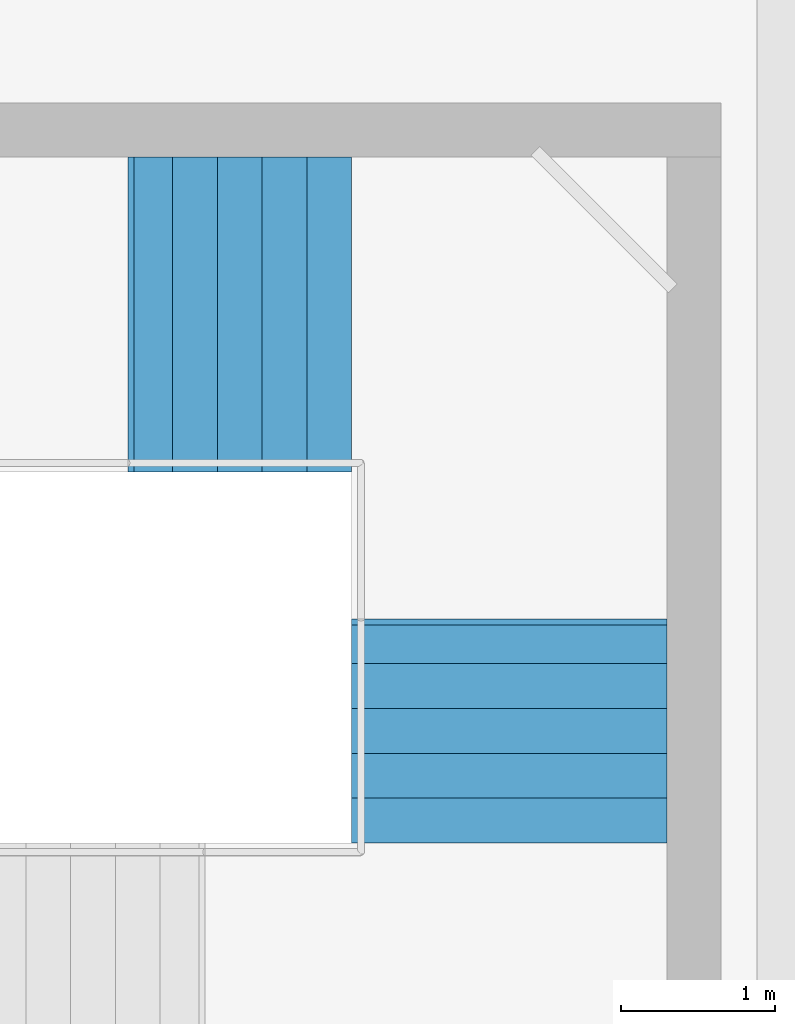
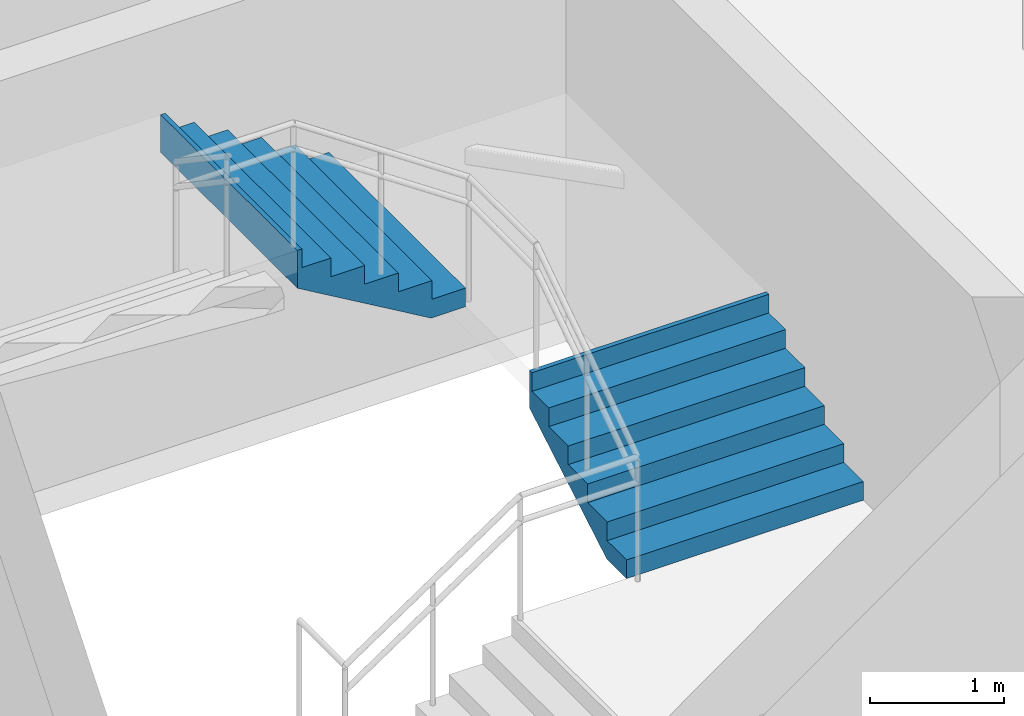
# One storey, part 60 of 66: 2 stair flights, 1 element without a shape of its own.
"""IFC4 building model written with IfcOpenShell, lengths in metres."""

from ifc_helpers import new_model, si_unit, direction, frame, origin, place, context, subcontext, project, spatial, triangles, material, type_object, element, aggregate, save


model = new_model("IFC4")

# Units and contexts
model_context = context("Model", 3, precision=1e-05, world=origin(), true_north=direction((0.0, 1.0)))
body_context = subcontext(model_context, "Body", "Model", "MODEL_VIEW")
ifc_project = project(units=[si_unit("LENGTHUNIT", "METRE"), si_unit("AREAUNIT", "SQUARE_METRE"), si_unit("VOLUMEUNIT", "CUBIC_METRE"), si_unit("PLANEANGLEUNIT", "RADIAN"), si_unit("MASSUNIT", "GRAM", prefix="KILO")], contexts=[model_context])

# Site, building, storey
site_placement = place(None, origin())
site = spatial("IfcSite", under=ifc_project, at=site_placement, CompositionType="ELEMENT")
building_placement = place(site_placement, origin())
building = spatial("IfcBuilding", under=site, at=building_placement, Name="Sillaruma Civic Art Gallery", CompositionType="ELEMENT")
storey_placement = place(building_placement, frame((0.0, 0.0, 62.219970703125)))
storey = spatial("IfcBuildingStorey", under=building, at=storey_placement, Name="L12", CompositionType="ELEMENT", Elevation=62.219970703125)

# Stair, stair flights
ifc_material = material(Name="Concrete H35 (35 MPa)", Category="concrete")
stair_type = type_object("IfcStairType", Name="STR-4F-24", PredefinedType="USERDEFINED", material=ifc_material)
stair_placement = place(storey_placement, origin())
stair = element("IfcStair", 1, at=stair_placement, inside=storey, type_object=stair_type, Name="Protected Exit Stair ST-03 (West Bar South) (L12)", ObjectType="THREE_RETURN_STAIR", PredefinedType="USERDEFINED")
stair_flight_type = type_object("IfcStairFlightType", Name="SFL-STR-6", PredefinedType="STRAIGHT", material=ifc_material)
stair_flight_1_placement = place(storey_placement, frame((68.219970703125, 33.449951171875, 1.02001953125), z_axis=(0.0, 0.0, 1.0), x_axis=(0.0, 1.0, 0.0)))
stair_flight_1 = element("IfcStairFlight", 2, at=stair_flight_1_placement, type_object=stair_flight_type, Name="ST-03 flight 2", NumberOfRisers=6, NumberOfTreads=5, PredefinedType="STRAIGHT", RiserHeight=0.17, TreadLength=0.29, context=body_context, shape_type="Tessellation", body=[
    triangles([(0.0, -1.02001953125, 0.0), (0.29, -1.02001953125, 0.0), (0.296365, -1.02001953125, 0.0), (0.58, -1.02001953125, 0.166269), (0.87, -1.02001953125, 0.336269), (1.16, -1.02001953125, 0.506269), (1.409951, -1.02001953125, 0.652792), (1.449951, -1.02001953125, 0.67624), (1.449951, -1.02001953125, 1.02), (1.409951, -1.02001953125, 1.02), (1.409951, -1.02001953125, 0.85), (1.16, -1.02001953125, 0.85), (1.16, -1.02001953125, 0.68), (0.87, -1.02001953125, 0.68), (0.87, -1.02001953125, 0.51), (0.58, -1.02001953125, 0.51), (0.58, -1.02001953125, 0.34), (0.296365, -1.02001953125, 0.34), (0.29, -1.02001953125, 0.34), (0.29, -1.02001953125, 0.17), (0.0, -1.02001953125, 0.17), (0.0, -0.05, 0.0), (0.29, -0.05, 0.0), (0.296365, -0.05, 0.0), (0.58, -0.05, 0.166269), (0.87, -0.05, 0.336269), (1.16, -0.05, 0.506269), (1.409951, -0.05, 0.652792), (1.449951, -0.05, 0.67624), (1.449951, -0.05, 1.02), (1.409951, -0.05, 1.02), (1.409951, -0.05, 0.85), (1.16, -0.05, 0.85), (1.16, -0.05, 0.68), (0.87, -0.05, 0.68), (0.87, -0.05, 0.51), (0.58, -0.05, 0.51), (0.58, -0.05, 0.34), (0.296365, -0.05, 0.34), (0.29, -0.05, 0.34), (0.29, -0.05, 0.17), (0.0, -0.05, 0.17), (0.0, -0.0375, 0.0), (0.29, -0.0375, 0.0), (0.296365, -0.0375, 0.0), (0.58, -0.0375, 0.166269), (0.87, -0.0375, 0.336269), (1.16, -0.0375, 0.506269), (1.409951, -0.0375, 0.652792), (1.449951, -0.0375, 0.67624), (1.449951, -0.0375, 1.02), (1.409951, -0.0375, 1.02), (1.409951, -0.0375, 0.85), (1.16, -0.0375, 0.85), (1.16, -0.0375, 0.68), (0.87, -0.0375, 0.68), (0.87, -0.0375, 0.51), (0.58, -0.0375, 0.51), (0.58, -0.0375, 0.34), (0.296365, -0.0375, 0.34), (0.29, -0.0375, 0.34), (0.29, -0.0375, 0.17), (0.0, -0.0375, 0.17), (0.0, -0.025, 0.0), (0.29, -0.025, 0.0), (0.296365, -0.025, 0.0), (0.58, -0.025, 0.166269), (0.87, -0.025, 0.336269), (1.16, -0.025, 0.506269), (1.409951, -0.025, 0.652792), (1.449951, -0.025, 0.67624), (1.449951, -0.025, 1.02), (1.409951, -0.025, 1.02), (1.409951, -0.025, 0.85), (1.16, -0.025, 0.85), (1.16, -0.025, 0.68), (0.87, -0.025, 0.68), (0.87, -0.025, 0.51), (0.58, -0.025, 0.51), (0.58, -0.025, 0.34), (0.296365, -0.025, 0.34), (0.29, -0.025, 0.34), (0.29, -0.025, 0.17), (0.0, -0.025, 0.17), (0.0, -0.0125, 0.0), (0.29, -0.0125, 0.0), (0.296365, -0.0125, 0.0), (0.58, -0.0125, 0.166269), (0.87, -0.0125, 0.336269), (1.16, -0.0125, 0.506269), (1.409951, -0.0125, 0.652792), (1.449951, -0.0125, 0.67624), (1.449951, -0.0125, 1.02), (1.409951, -0.0125, 1.02), (1.409951, -0.0125, 0.85), (1.16, -0.0125, 0.85), (1.16, -0.0125, 0.68), (0.87, -0.0125, 0.68), (0.87, -0.0125, 0.51), (0.58, -0.0125, 0.51), (0.58, -0.0125, 0.34), (0.296365, -0.0125, 0.34), (0.29, -0.0125, 0.34), (0.29, -0.0125, 0.17), (0.0, -0.0125, 0.17), (0.0, 0.0, 0.0), (0.29, 0.0, 0.0), (0.296365, 0.0, 0.0), (0.58, 0.0, 0.166269), (0.87, 0.0, 0.336269), (1.16, 0.0, 0.506269), (1.409951, 0.0, 0.652792), (1.449951, 0.0, 0.67624), (1.449951, 0.0, 1.02), (1.409951, 0.0, 1.02), (1.409951, 0.0, 0.85), (1.16, 0.0, 0.85), (1.16, 0.0, 0.68), (0.87, 0.0, 0.68), (0.87, 0.0, 0.51), (0.58, 0.0, 0.51), (0.58, 0.0, 0.34), (0.296365, 0.0, 0.34), (0.29, 0.0, 0.34), (0.29, 0.0, 0.17), (0.0, 0.0, 0.17), (0.0, 0.0125, 0.0), (0.29, 0.0125, 0.0), (0.296365, 0.0125, 0.0), (0.58, 0.0125, 0.166269), (0.87, 0.0125, 0.336269), (1.16, 0.0125, 0.506269), (1.409951, 0.0125, 0.652792), (1.449951, 0.0125, 0.67624), (1.449951, 0.0125, 1.02), (1.409951, 0.0125, 1.02), (1.409951, 0.0125, 0.85), (1.16, 0.0125, 0.85), (1.16, 0.0125, 0.68), (0.87, 0.0125, 0.68), (0.87, 0.0125, 0.51), (0.58, 0.0125, 0.51), (0.58, 0.0125, 0.34), (0.296365, 0.0125, 0.34), (0.29, 0.0125, 0.34), (0.29, 0.0125, 0.17), (0.0, 0.0125, 0.17), (0.0, 0.025, 0.0), (0.29, 0.025, 0.0), (0.296365, 0.025, 0.0), (0.58, 0.025, 0.166269), (0.87, 0.025, 0.336269), (1.16, 0.025, 0.506269), (1.409951, 0.025, 0.652792), (1.449951, 0.025, 0.67624), (1.449951, 0.025, 1.02), (1.409951, 0.025, 1.02), (1.409951, 0.025, 0.85), (1.16, 0.025, 0.85), (1.16, 0.025, 0.68), (0.87, 0.025, 0.68), (0.87, 0.025, 0.51), (0.58, 0.025, 0.51), (0.58, 0.025, 0.34), (0.296365, 0.025, 0.34), (0.29, 0.025, 0.34), (0.29, 0.025, 0.17), (0.0, 0.025, 0.17), (0.0, 0.0375, 0.0), (0.29, 0.0375, 0.0), (0.296365, 0.0375, 0.0), (0.58, 0.0375, 0.166269), (0.87, 0.0375, 0.336269), (1.16, 0.0375, 0.506269), (1.409951, 0.0375, 0.652792), (1.449951, 0.0375, 0.67624), (1.449951, 0.0375, 1.02), (1.409951, 0.0375, 1.02), (1.409951, 0.0375, 0.85), (1.16, 0.0375, 0.85), (1.16, 0.0375, 0.68), (0.87, 0.0375, 0.68), (0.87, 0.0375, 0.51), (0.58, 0.0375, 0.51), (0.58, 0.0375, 0.34), (0.296365, 0.0375, 0.34), (0.29, 0.0375, 0.34), (0.29, 0.0375, 0.17), (0.0, 0.0375, 0.17), (0.0, 0.05, 0.0), (0.29, 0.05, 0.0), (0.296365, 0.05, 0.0), (0.58, 0.05, 0.166269), (0.87, 0.05, 0.336269), (1.16, 0.05, 0.506269), (1.409951, 0.05, 0.652792), (1.449951, 0.05, 0.67624), (1.449951, 0.05, 1.02), (1.409951, 0.05, 1.02), (1.409951, 0.05, 0.85), (1.16, 0.05, 0.85), (1.16, 0.05, 0.68), (0.87, 0.05, 0.68), (0.87, 0.05, 0.51), (0.58, 0.05, 0.51), (0.58, 0.05, 0.34), (0.296365, 0.05, 0.34), (0.29, 0.05, 0.34), (0.29, 0.05, 0.17), (0.0, 0.05, 0.17), (0.0, 1.02001953125, 0.0), (0.29, 1.02001953125, 0.0), (0.296365, 1.02001953125, 0.0), (0.58, 1.02001953125, 0.166269), (0.87, 1.02001953125, 0.336269), (1.16, 1.02001953125, 0.506269), (1.409951, 1.02001953125, 0.652792), (1.449951, 1.02001953125, 0.67624), (1.449951, 1.02001953125, 1.02), (1.409951, 1.02001953125, 1.02), (1.409951, 1.02001953125, 0.85), (1.16, 1.02001953125, 0.85), (1.16, 1.02001953125, 0.68), (0.87, 1.02001953125, 0.68), (0.87, 1.02001953125, 0.51), (0.58, 1.02001953125, 0.51), (0.58, 1.02001953125, 0.34), (0.296365, 1.02001953125, 0.34), (0.29, 1.02001953125, 0.34), (0.29, 1.02001953125, 0.17), (0.0, 1.02001953125, 0.17)], [[1, 2, 20], [1, 20, 21], [2, 3, 18], [2, 18, 20], [20, 18, 19], [3, 4, 17], [3, 17, 18], [4, 5, 15], [4, 15, 17], [17, 15, 16], [5, 6, 13], [5, 13, 15], [15, 13, 14], [6, 7, 11], [6, 11, 13], [13, 11, 12], [7, 8, 9], [7, 9, 11], [11, 9, 10], [230, 212, 211], [231, 230, 211], [228, 213, 212], [230, 228, 212], [229, 228, 230], [227, 214, 213], [228, 227, 213], [225, 215, 214], [227, 225, 214], [226, 225, 227], [223, 216, 215], [225, 223, 215], [224, 223, 225], [221, 217, 216], [223, 221, 216], [222, 221, 223], [219, 218, 217], [221, 219, 217], [220, 219, 221], [2, 1, 22], [2, 22, 23], [3, 2, 23], [3, 23, 24], [4, 3, 24], [4, 24, 25], [5, 4, 25], [5, 25, 26], [6, 5, 26], [6, 26, 27], [7, 6, 27], [7, 27, 28], [8, 7, 28], [8, 28, 29], [9, 8, 29], [9, 29, 30], [10, 9, 30], [10, 30, 31], [11, 10, 31], [11, 31, 32], [12, 11, 32], [12, 32, 33], [13, 12, 33], [13, 33, 34], [14, 13, 34], [14, 34, 35], [15, 14, 35], [15, 35, 36], [16, 15, 36], [16, 36, 37], [17, 16, 37], [17, 37, 38], [18, 17, 38], [18, 38, 39], [19, 18, 39], [19, 39, 40], [20, 19, 40], [20, 40, 41], [21, 20, 41], [21, 41, 42], [1, 21, 42], [1, 42, 22], [23, 22, 43], [23, 43, 44], [24, 23, 44], [24, 44, 45], [25, 24, 45], [25, 45, 46], [26, 25, 46], [26, 46, 47], [27, 26, 47], [27, 47, 48], [28, 27, 48], [28, 48, 49], [29, 28, 49], [29, 49, 50], [30, 29, 50], [30, 50, 51], [31, 30, 51], [31, 51, 52], [32, 31, 52], [32, 52, 53], [33, 32, 53], [33, 53, 54], [34, 33, 54], [34, 54, 55], [35, 34, 55], [35, 55, 56], [36, 35, 56], [36, 56, 57], [37, 36, 57], [37, 57, 58], [38, 37, 58], [38, 58, 59], [39, 38, 59], [39, 59, 60], [40, 39, 60], [40, 60, 61], [41, 40, 61], [41, 61, 62], [42, 41, 62], [42, 62, 63], [22, 42, 63], [22, 63, 43], [44, 43, 64], [44, 64, 65], [45, 44, 65], [45, 65, 66], [46, 45, 66], [46, 66, 67], [47, 46, 67], [47, 67, 68], [48, 47, 68], [48, 68, 69], [49, 48, 69], [49, 69, 70], [50, 49, 70], [50, 70, 71], [51, 50, 71], [51, 71, 72], [52, 51, 72], [52, 72, 73], [53, 52, 73], [53, 73, 74], [54, 53, 74], [54, 74, 75], [55, 54, 75], [55, 75, 76], [56, 55, 76], [56, 76, 77], [57, 56, 77], [57, 77, 78], [58, 57, 78], [58, 78, 79], [59, 58, 79], [59, 79, 80], [60, 59, 80], [60, 80, 81], [61, 60, 81], [61, 81, 82], [62, 61, 82], [62, 82, 83], [63, 62, 83], [63, 83, 84], [43, 63, 84], [43, 84, 64], [65, 64, 85], [65, 85, 86], [66, 65, 86], [66, 86, 87], [67, 66, 87], [67, 87, 88], [68, 67, 88], [68, 88, 89], [69, 68, 89], [69, 89, 90], [70, 69, 90], [70, 90, 91], [71, 70, 91], [71, 91, 92], [72, 71, 92], [72, 92, 93], [73, 72, 93], [73, 93, 94], [74, 73, 94], [74, 94, 95], [75, 74, 95], [75, 95, 96], [76, 75, 96], [76, 96, 97], [77, 76, 97], [77, 97, 98], [78, 77, 98], [78, 98, 99], [79, 78, 99], [79, 99, 100], [80, 79, 100], [80, 100, 101], [81, 80, 101], [81, 101, 102], [82, 81, 102], [82, 102, 103], [83, 82, 103], [83, 103, 104], [84, 83, 104], [84, 104, 105], [64, 84, 105], [64, 105, 85], [86, 85, 106], [86, 106, 107], [87, 86, 107], [87, 107, 108], [88, 87, 108], [88, 108, 109], [89, 88, 109], [89, 109, 110], [90, 89, 110], [90, 110, 111], [91, 90, 111], [91, 111, 112], [92, 91, 112], [92, 112, 113], [93, 92, 113], [93, 113, 114], [94, 93, 114], [94, 114, 115], [95, 94, 115], [95, 115, 116], [96, 95, 116], [96, 116, 117], [97, 96, 117], [97, 117, 118], [98, 97, 118], [98, 118, 119], [99, 98, 119], [99, 119, 120], [100, 99, 120], [100, 120, 121], [101, 100, 121], [101, 121, 122], [102, 101, 122], [102, 122, 123], [103, 102, 123], [103, 123, 124], [104, 103, 124], [104, 124, 125], [105, 104, 125], [105, 125, 126], [85, 105, 126], [85, 126, 106], [107, 106, 127], [107, 127, 128], [108, 107, 128], [108, 128, 129], [109, 108, 129], [109, 129, 130], [110, 109, 130], [110, 130, 131], [111, 110, 131], [111, 131, 132], [112, 111, 132], [112, 132, 133], [113, 112, 133], [113, 133, 134], [114, 113, 134], [114, 134, 135], [115, 114, 135], [115, 135, 136], [116, 115, 136], [116, 136, 137], [117, 116, 137], [117, 137, 138], [118, 117, 138], [118, 138, 139], [119, 118, 139], [119, 139, 140], [120, 119, 140], [120, 140, 141], [121, 120, 141], [121, 141, 142], [122, 121, 142], [122, 142, 143], [123, 122, 143], [123, 143, 144], [124, 123, 144], [124, 144, 145], [125, 124, 145], [125, 145, 146], [126, 125, 146], [126, 146, 147], [106, 126, 147], [106, 147, 127], [128, 127, 148], [128, 148, 149], [129, 128, 149], [129, 149, 150], [130, 129, 150], [130, 150, 151], [131, 130, 151], [131, 151, 152], [132, 131, 152], [132, 152, 153], [133, 132, 153], [133, 153, 154], [134, 133, 154], [134, 154, 155], [135, 134, 155], [135, 155, 156], [136, 135, 156], [136, 156, 157], [137, 136, 157], [137, 157, 158], [138, 137, 158], [138, 158, 159], [139, 138, 159], [139, 159, 160], [140, 139, 160], [140, 160, 161], [141, 140, 161], [141, 161, 162], [142, 141, 162], [142, 162, 163], [143, 142, 163], [143, 163, 164], [144, 143, 164], [144, 164, 165], [145, 144, 165], [145, 165, 166], [146, 145, 166], [146, 166, 167], [147, 146, 167], [147, 167, 168], [127, 147, 168], [127, 168, 148], [149, 148, 169], [149, 169, 170], [150, 149, 170], [150, 170, 171], [151, 150, 171], [151, 171, 172], [152, 151, 172], [152, 172, 173], [153, 152, 173], [153, 173, 174], [154, 153, 174], [154, 174, 175], [155, 154, 175], [155, 175, 176], [156, 155, 176], [156, 176, 177], [157, 156, 177], [157, 177, 178], [158, 157, 178], [158, 178, 179], [159, 158, 179], [159, 179, 180], [160, 159, 180], [160, 180, 181], [161, 160, 181], [161, 181, 182], [162, 161, 182], [162, 182, 183], [163, 162, 183], [163, 183, 184], [164, 163, 184], [164, 184, 185], [165, 164, 185], [165, 185, 186], [166, 165, 186], [166, 186, 187], [167, 166, 187], [167, 187, 188], [168, 167, 188], [168, 188, 189], [148, 168, 189], [148, 189, 169], [170, 169, 190], [170, 190, 191], [171, 170, 191], [171, 191, 192], [172, 171, 192], [172, 192, 193], [173, 172, 193], [173, 193, 194], [174, 173, 194], [174, 194, 195], [175, 174, 195], [175, 195, 196], [176, 175, 196], [176, 196, 197], [177, 176, 197], [177, 197, 198], [178, 177, 198], [178, 198, 199], [179, 178, 199], [179, 199, 200], [180, 179, 200], [180, 200, 201], [181, 180, 201], [181, 201, 202], [182, 181, 202], [182, 202, 203], [183, 182, 203], [183, 203, 204], [184, 183, 204], [184, 204, 205], [185, 184, 205], [185, 205, 206], [186, 185, 206], [186, 206, 207], [187, 186, 207], [187, 207, 208], [188, 187, 208], [188, 208, 209], [189, 188, 209], [189, 209, 210], [169, 189, 210], [169, 210, 190], [191, 190, 211], [191, 211, 212], [192, 191, 212], [192, 212, 213], [193, 192, 213], [193, 213, 214], [194, 193, 214], [194, 214, 215], [195, 194, 215], [195, 215, 216], [196, 195, 216], [196, 216, 217], [197, 196, 217], [197, 217, 218], [198, 197, 218], [198, 218, 219], [199, 198, 219], [199, 219, 220], [200, 199, 220], [200, 220, 221], [201, 200, 221], [201, 221, 222], [202, 201, 222], [202, 222, 223], [203, 202, 223], [203, 223, 224], [204, 203, 224], [204, 224, 225], [205, 204, 225], [205, 225, 226], [206, 205, 226], [206, 226, 227], [207, 206, 227], [207, 227, 228], [208, 207, 228], [208, 228, 229], [209, 208, 229], [209, 229, 230], [210, 209, 230], [210, 230, 231], [190, 210, 231], [190, 231, 211]], closed=True),
])
stair_flight_2_placement = place(storey_placement, frame((67.199951171875, 36.8701171875, 2.0400390625), z_axis=(0.0, 0.0, 1.0), x_axis=(-1.0, 0.0, 0.0)))
stair_flight_2 = element("IfcStairFlight", 3, at=stair_flight_2_placement, type_object=stair_flight_type, Name="ST-03 flight 3", NumberOfRisers=6, NumberOfTreads=5, PredefinedType="STRAIGHT", RiserHeight=0.17, TreadLength=0.29, context=body_context, shape_type="Tessellation", body=[
    triangles([(0.0, -1.02001953125, 0.0), (0.29, -1.02001953125, 0.0), (0.296365, -1.02001953125, 0.0), (0.58, -1.02001953125, 0.166269), (0.87, -1.02001953125, 0.336269), (1.16, -1.02001953125, 0.506269), (1.409951, -1.02001953125, 0.652792), (1.449951, -1.02001953125, 0.67624), (1.449951, -1.02001953125, 1.02), (1.409951, -1.02001953125, 1.02), (1.409951, -1.02001953125, 0.85), (1.16, -1.02001953125, 0.85), (1.16, -1.02001953125, 0.68), (0.87, -1.02001953125, 0.68), (0.87, -1.02001953125, 0.51), (0.58, -1.02001953125, 0.51), (0.58, -1.02001953125, 0.34), (0.296365, -1.02001953125, 0.34), (0.29, -1.02001953125, 0.34), (0.29, -1.02001953125, 0.17), (0.0, -1.02001953125, 0.17), (0.0, -0.05, 0.0), (0.29, -0.05, 0.0), (0.296365, -0.05, 0.0), (0.58, -0.05, 0.166269), (0.87, -0.05, 0.336269), (1.16, -0.05, 0.506269), (1.409951, -0.05, 0.652792), (1.449951, -0.05, 0.67624), (1.449951, -0.05, 1.02), (1.409951, -0.05, 1.02), (1.409951, -0.05, 0.85), (1.16, -0.05, 0.85), (1.16, -0.05, 0.68), (0.87, -0.05, 0.68), (0.87, -0.05, 0.51), (0.58, -0.05, 0.51), (0.58, -0.05, 0.34), (0.296365, -0.05, 0.34), (0.29, -0.05, 0.34), (0.29, -0.05, 0.17), (0.0, -0.05, 0.17), (0.0, -0.0375, 0.0), (0.29, -0.0375, 0.0), (0.296365, -0.0375, 0.0), (0.58, -0.0375, 0.166269), (0.87, -0.0375, 0.336269), (1.16, -0.0375, 0.506269), (1.409951, -0.0375, 0.652792), (1.449951, -0.0375, 0.67624), (1.449951, -0.0375, 1.02), (1.409951, -0.0375, 1.02), (1.409951, -0.0375, 0.85), (1.16, -0.0375, 0.85), (1.16, -0.0375, 0.68), (0.87, -0.0375, 0.68), (0.87, -0.0375, 0.51), (0.58, -0.0375, 0.51), (0.58, -0.0375, 0.34), (0.296365, -0.0375, 0.34), (0.29, -0.0375, 0.34), (0.29, -0.0375, 0.17), (0.0, -0.0375, 0.17), (0.0, -0.025, 0.0), (0.29, -0.025, 0.0), (0.296365, -0.025, 0.0), (0.58, -0.025, 0.166269), (0.87, -0.025, 0.336269), (1.16, -0.025, 0.506269), (1.409951, -0.025, 0.652792), (1.449951, -0.025, 0.67624), (1.449951, -0.025, 1.02), (1.409951, -0.025, 1.02), (1.409951, -0.025, 0.85), (1.16, -0.025, 0.85), (1.16, -0.025, 0.68), (0.87, -0.025, 0.68), (0.87, -0.025, 0.51), (0.58, -0.025, 0.51), (0.58, -0.025, 0.34), (0.296365, -0.025, 0.34), (0.29, -0.025, 0.34), (0.29, -0.025, 0.17), (0.0, -0.025, 0.17), (0.0, -0.0125, 0.0), (0.29, -0.0125, 0.0), (0.296365, -0.0125, 0.0), (0.58, -0.0125, 0.166269), (0.87, -0.0125, 0.336269), (1.16, -0.0125, 0.506269), (1.409951, -0.0125, 0.652792), (1.449951, -0.0125, 0.67624), (1.449951, -0.0125, 1.02), (1.409951, -0.0125, 1.02), (1.409951, -0.0125, 0.85), (1.16, -0.0125, 0.85), (1.16, -0.0125, 0.68), (0.87, -0.0125, 0.68), (0.87, -0.0125, 0.51), (0.58, -0.0125, 0.51), (0.58, -0.0125, 0.34), (0.296365, -0.0125, 0.34), (0.29, -0.0125, 0.34), (0.29, -0.0125, 0.17), (0.0, -0.0125, 0.17), (0.0, 0.0, 0.0), (0.29, 0.0, 0.0), (0.296365, 0.0, 0.0), (0.58, 0.0, 0.166269), (0.87, 0.0, 0.336269), (1.16, 0.0, 0.506269), (1.409951, 0.0, 0.652792), (1.449951, 0.0, 0.67624), (1.449951, 0.0, 1.02), (1.409951, 0.0, 1.02), (1.409951, 0.0, 0.85), (1.16, 0.0, 0.85), (1.16, 0.0, 0.68), (0.87, 0.0, 0.68), (0.87, 0.0, 0.51), (0.58, 0.0, 0.51), (0.58, 0.0, 0.34), (0.296365, 0.0, 0.34), (0.29, 0.0, 0.34), (0.29, 0.0, 0.17), (0.0, 0.0, 0.17), (0.0, 0.0125, 0.0), (0.29, 0.0125, 0.0), (0.296365, 0.0125, 0.0), (0.58, 0.0125, 0.166269), (0.87, 0.0125, 0.336269), (1.16, 0.0125, 0.506269), (1.409951, 0.0125, 0.652792), (1.449951, 0.0125, 0.67624), (1.449951, 0.0125, 1.02), (1.409951, 0.0125, 1.02), (1.409951, 0.0125, 0.85), (1.16, 0.0125, 0.85), (1.16, 0.0125, 0.68), (0.87, 0.0125, 0.68), (0.87, 0.0125, 0.51), (0.58, 0.0125, 0.51), (0.58, 0.0125, 0.34), (0.296365, 0.0125, 0.34), (0.29, 0.0125, 0.34), (0.29, 0.0125, 0.17), (0.0, 0.0125, 0.17), (0.0, 0.025, 0.0), (0.29, 0.025, 0.0), (0.296365, 0.025, 0.0), (0.58, 0.025, 0.166269), (0.87, 0.025, 0.336269), (1.16, 0.025, 0.506269), (1.409951, 0.025, 0.652792), (1.449951, 0.025, 0.67624), (1.449951, 0.025, 1.02), (1.409951, 0.025, 1.02), (1.409951, 0.025, 0.85), (1.16, 0.025, 0.85), (1.16, 0.025, 0.68), (0.87, 0.025, 0.68), (0.87, 0.025, 0.51), (0.58, 0.025, 0.51), (0.58, 0.025, 0.34), (0.296365, 0.025, 0.34), (0.29, 0.025, 0.34), (0.29, 0.025, 0.17), (0.0, 0.025, 0.17), (0.0, 0.0375, 0.0), (0.29, 0.0375, 0.0), (0.296365, 0.0375, 0.0), (0.58, 0.0375, 0.166269), (0.87, 0.0375, 0.336269), (1.16, 0.0375, 0.506269), (1.409951, 0.0375, 0.652792), (1.449951, 0.0375, 0.67624), (1.449951, 0.0375, 1.02), (1.409951, 0.0375, 1.02), (1.409951, 0.0375, 0.85), (1.16, 0.0375, 0.85), (1.16, 0.0375, 0.68), (0.87, 0.0375, 0.68), (0.87, 0.0375, 0.51), (0.58, 0.0375, 0.51), (0.58, 0.0375, 0.34), (0.296365, 0.0375, 0.34), (0.29, 0.0375, 0.34), (0.29, 0.0375, 0.17), (0.0, 0.0375, 0.17), (0.0, 0.05, 0.0), (0.29, 0.05, 0.0), (0.296365, 0.05, 0.0), (0.58, 0.05, 0.166269), (0.87, 0.05, 0.336269), (1.16, 0.05, 0.506269), (1.409951, 0.05, 0.652792), (1.449951, 0.05, 0.67624), (1.449951, 0.05, 1.02), (1.409951, 0.05, 1.02), (1.409951, 0.05, 0.85), (1.16, 0.05, 0.85), (1.16, 0.05, 0.68), (0.87, 0.05, 0.68), (0.87, 0.05, 0.51), (0.58, 0.05, 0.51), (0.58, 0.05, 0.34), (0.296365, 0.05, 0.34), (0.29, 0.05, 0.34), (0.29, 0.05, 0.17), (0.0, 0.05, 0.17), (0.0, 1.02001953125, 0.0), (0.29, 1.02001953125, 0.0), (0.296365, 1.02001953125, 0.0), (0.58, 1.02001953125, 0.166269), (0.87, 1.02001953125, 0.336269), (1.16, 1.02001953125, 0.506269), (1.409951, 1.02001953125, 0.652792), (1.449951, 1.02001953125, 0.67624), (1.449951, 1.02001953125, 1.02), (1.409951, 1.02001953125, 1.02), (1.409951, 1.02001953125, 0.85), (1.16, 1.02001953125, 0.85), (1.16, 1.02001953125, 0.68), (0.87, 1.02001953125, 0.68), (0.87, 1.02001953125, 0.51), (0.58, 1.02001953125, 0.51), (0.58, 1.02001953125, 0.34), (0.296365, 1.02001953125, 0.34), (0.29, 1.02001953125, 0.34), (0.29, 1.02001953125, 0.17), (0.0, 1.02001953125, 0.17)], [[1, 2, 20], [1, 20, 21], [2, 3, 18], [2, 18, 20], [20, 18, 19], [3, 4, 17], [3, 17, 18], [4, 5, 15], [4, 15, 17], [17, 15, 16], [5, 6, 13], [5, 13, 15], [15, 13, 14], [6, 7, 11], [6, 11, 13], [13, 11, 12], [7, 8, 9], [7, 9, 11], [11, 9, 10], [230, 212, 211], [231, 230, 211], [228, 213, 212], [230, 228, 212], [229, 228, 230], [227, 214, 213], [228, 227, 213], [225, 215, 214], [227, 225, 214], [226, 225, 227], [223, 216, 215], [225, 223, 215], [224, 223, 225], [221, 217, 216], [223, 221, 216], [222, 221, 223], [219, 218, 217], [221, 219, 217], [220, 219, 221], [2, 1, 22], [2, 22, 23], [3, 2, 23], [3, 23, 24], [4, 3, 24], [4, 24, 25], [5, 4, 25], [5, 25, 26], [6, 5, 26], [6, 26, 27], [7, 6, 27], [7, 27, 28], [8, 7, 28], [8, 28, 29], [9, 8, 29], [9, 29, 30], [10, 9, 30], [10, 30, 31], [11, 10, 31], [11, 31, 32], [12, 11, 32], [12, 32, 33], [13, 12, 33], [13, 33, 34], [14, 13, 34], [14, 34, 35], [15, 14, 35], [15, 35, 36], [16, 15, 36], [16, 36, 37], [17, 16, 37], [17, 37, 38], [18, 17, 38], [18, 38, 39], [19, 18, 39], [19, 39, 40], [20, 19, 40], [20, 40, 41], [21, 20, 41], [21, 41, 42], [1, 21, 42], [1, 42, 22], [23, 22, 43], [23, 43, 44], [24, 23, 44], [24, 44, 45], [25, 24, 45], [25, 45, 46], [26, 25, 46], [26, 46, 47], [27, 26, 47], [27, 47, 48], [28, 27, 48], [28, 48, 49], [29, 28, 49], [29, 49, 50], [30, 29, 50], [30, 50, 51], [31, 30, 51], [31, 51, 52], [32, 31, 52], [32, 52, 53], [33, 32, 53], [33, 53, 54], [34, 33, 54], [34, 54, 55], [35, 34, 55], [35, 55, 56], [36, 35, 56], [36, 56, 57], [37, 36, 57], [37, 57, 58], [38, 37, 58], [38, 58, 59], [39, 38, 59], [39, 59, 60], [40, 39, 60], [40, 60, 61], [41, 40, 61], [41, 61, 62], [42, 41, 62], [42, 62, 63], [22, 42, 63], [22, 63, 43], [44, 43, 64], [44, 64, 65], [45, 44, 65], [45, 65, 66], [46, 45, 66], [46, 66, 67], [47, 46, 67], [47, 67, 68], [48, 47, 68], [48, 68, 69], [49, 48, 69], [49, 69, 70], [50, 49, 70], [50, 70, 71], [51, 50, 71], [51, 71, 72], [52, 51, 72], [52, 72, 73], [53, 52, 73], [53, 73, 74], [54, 53, 74], [54, 74, 75], [55, 54, 75], [55, 75, 76], [56, 55, 76], [56, 76, 77], [57, 56, 77], [57, 77, 78], [58, 57, 78], [58, 78, 79], [59, 58, 79], [59, 79, 80], [60, 59, 80], [60, 80, 81], [61, 60, 81], [61, 81, 82], [62, 61, 82], [62, 82, 83], [63, 62, 83], [63, 83, 84], [43, 63, 84], [43, 84, 64], [65, 64, 85], [65, 85, 86], [66, 65, 86], [66, 86, 87], [67, 66, 87], [67, 87, 88], [68, 67, 88], [68, 88, 89], [69, 68, 89], [69, 89, 90], [70, 69, 90], [70, 90, 91], [71, 70, 91], [71, 91, 92], [72, 71, 92], [72, 92, 93], [73, 72, 93], [73, 93, 94], [74, 73, 94], [74, 94, 95], [75, 74, 95], [75, 95, 96], [76, 75, 96], [76, 96, 97], [77, 76, 97], [77, 97, 98], [78, 77, 98], [78, 98, 99], [79, 78, 99], [79, 99, 100], [80, 79, 100], [80, 100, 101], [81, 80, 101], [81, 101, 102], [82, 81, 102], [82, 102, 103], [83, 82, 103], [83, 103, 104], [84, 83, 104], [84, 104, 105], [64, 84, 105], [64, 105, 85], [86, 85, 106], [86, 106, 107], [87, 86, 107], [87, 107, 108], [88, 87, 108], [88, 108, 109], [89, 88, 109], [89, 109, 110], [90, 89, 110], [90, 110, 111], [91, 90, 111], [91, 111, 112], [92, 91, 112], [92, 112, 113], [93, 92, 113], [93, 113, 114], [94, 93, 114], [94, 114, 115], [95, 94, 115], [95, 115, 116], [96, 95, 116], [96, 116, 117], [97, 96, 117], [97, 117, 118], [98, 97, 118], [98, 118, 119], [99, 98, 119], [99, 119, 120], [100, 99, 120], [100, 120, 121], [101, 100, 121], [101, 121, 122], [102, 101, 122], [102, 122, 123], [103, 102, 123], [103, 123, 124], [104, 103, 124], [104, 124, 125], [105, 104, 125], [105, 125, 126], [85, 105, 126], [85, 126, 106], [107, 106, 127], [107, 127, 128], [108, 107, 128], [108, 128, 129], [109, 108, 129], [109, 129, 130], [110, 109, 130], [110, 130, 131], [111, 110, 131], [111, 131, 132], [112, 111, 132], [112, 132, 133], [113, 112, 133], [113, 133, 134], [114, 113, 134], [114, 134, 135], [115, 114, 135], [115, 135, 136], [116, 115, 136], [116, 136, 137], [117, 116, 137], [117, 137, 138], [118, 117, 138], [118, 138, 139], [119, 118, 139], [119, 139, 140], [120, 119, 140], [120, 140, 141], [121, 120, 141], [121, 141, 142], [122, 121, 142], [122, 142, 143], [123, 122, 143], [123, 143, 144], [124, 123, 144], [124, 144, 145], [125, 124, 145], [125, 145, 146], [126, 125, 146], [126, 146, 147], [106, 126, 147], [106, 147, 127], [128, 127, 148], [128, 148, 149], [129, 128, 149], [129, 149, 150], [130, 129, 150], [130, 150, 151], [131, 130, 151], [131, 151, 152], [132, 131, 152], [132, 152, 153], [133, 132, 153], [133, 153, 154], [134, 133, 154], [134, 154, 155], [135, 134, 155], [135, 155, 156], [136, 135, 156], [136, 156, 157], [137, 136, 157], [137, 157, 158], [138, 137, 158], [138, 158, 159], [139, 138, 159], [139, 159, 160], [140, 139, 160], [140, 160, 161], [141, 140, 161], [141, 161, 162], [142, 141, 162], [142, 162, 163], [143, 142, 163], [143, 163, 164], [144, 143, 164], [144, 164, 165], [145, 144, 165], [145, 165, 166], [146, 145, 166], [146, 166, 167], [147, 146, 167], [147, 167, 168], [127, 147, 168], [127, 168, 148], [149, 148, 169], [149, 169, 170], [150, 149, 170], [150, 170, 171], [151, 150, 171], [151, 171, 172], [152, 151, 172], [152, 172, 173], [153, 152, 173], [153, 173, 174], [154, 153, 174], [154, 174, 175], [155, 154, 175], [155, 175, 176], [156, 155, 176], [156, 176, 177], [157, 156, 177], [157, 177, 178], [158, 157, 178], [158, 178, 179], [159, 158, 179], [159, 179, 180], [160, 159, 180], [160, 180, 181], [161, 160, 181], [161, 181, 182], [162, 161, 182], [162, 182, 183], [163, 162, 183], [163, 183, 184], [164, 163, 184], [164, 184, 185], [165, 164, 185], [165, 185, 186], [166, 165, 186], [166, 186, 187], [167, 166, 187], [167, 187, 188], [168, 167, 188], [168, 188, 189], [148, 168, 189], [148, 189, 169], [170, 169, 190], [170, 190, 191], [171, 170, 191], [171, 191, 192], [172, 171, 192], [172, 192, 193], [173, 172, 193], [173, 193, 194], [174, 173, 194], [174, 194, 195], [175, 174, 195], [175, 195, 196], [176, 175, 196], [176, 196, 197], [177, 176, 197], [177, 197, 198], [178, 177, 198], [178, 198, 199], [179, 178, 199], [179, 199, 200], [180, 179, 200], [180, 200, 201], [181, 180, 201], [181, 201, 202], [182, 181, 202], [182, 202, 203], [183, 182, 203], [183, 203, 204], [184, 183, 204], [184, 204, 205], [185, 184, 205], [185, 205, 206], [186, 185, 206], [186, 206, 207], [187, 186, 207], [187, 207, 208], [188, 187, 208], [188, 208, 209], [189, 188, 209], [189, 209, 210], [169, 189, 210], [169, 210, 190], [191, 190, 211], [191, 211, 212], [192, 191, 212], [192, 212, 213], [193, 192, 213], [193, 213, 214], [194, 193, 214], [194, 214, 215], [195, 194, 215], [195, 215, 216], [196, 195, 216], [196, 216, 217], [197, 196, 217], [197, 217, 218], [198, 197, 218], [198, 218, 219], [199, 198, 219], [199, 219, 220], [200, 199, 220], [200, 220, 221], [201, 200, 221], [201, 221, 222], [202, 201, 222], [202, 222, 223], [203, 202, 223], [203, 223, 224], [204, 203, 224], [204, 224, 225], [205, 204, 225], [205, 225, 226], [206, 205, 226], [206, 226, 227], [207, 206, 227], [207, 227, 228], [208, 207, 228], [208, 228, 229], [209, 208, 229], [209, 229, 230], [210, 209, 230], [210, 230, 231], [190, 210, 231], [190, 231, 211]], closed=True),
])
aggregate(stair, [stair_flight_1, stair_flight_2])

save(model, "model.ifc")
